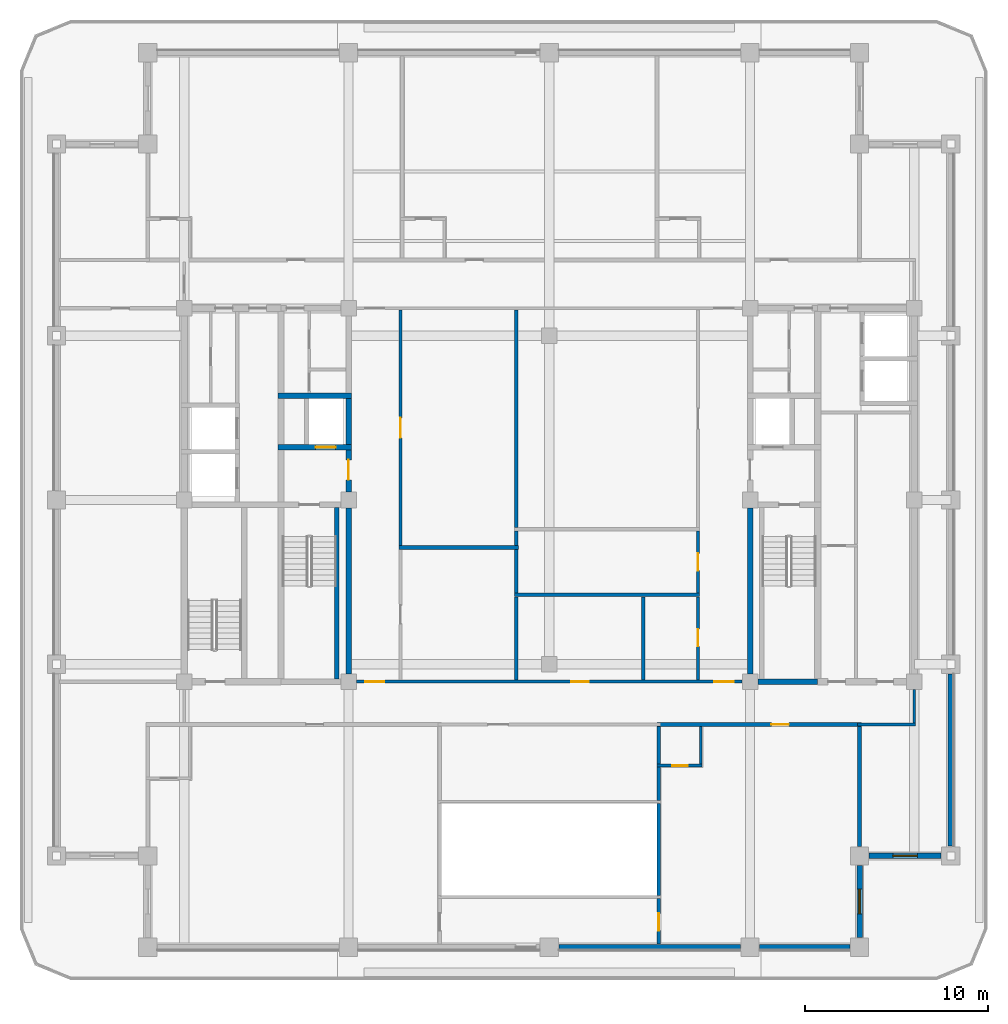
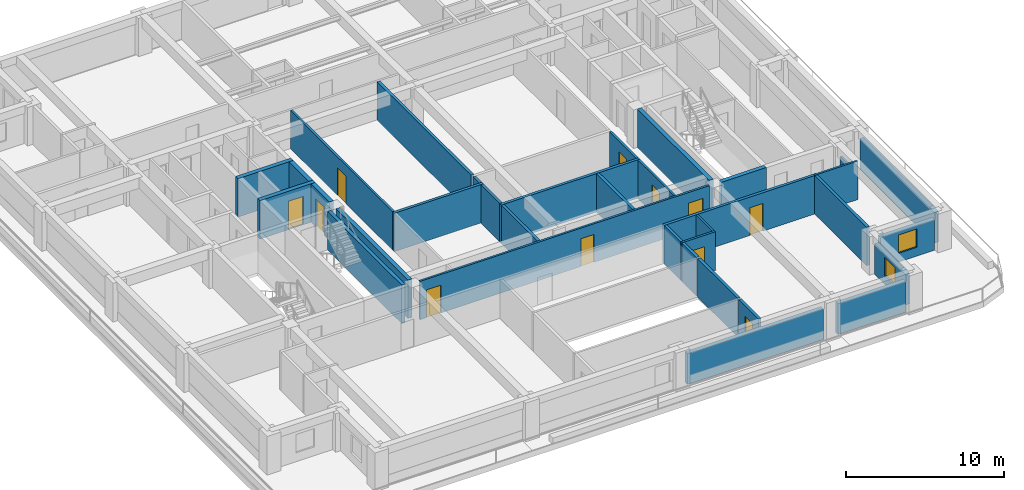
# One storey, part 3 of 13: 34 walls, 11 doors, 2 windows, 13 openings.
"""IFC4 building model written with IfcOpenShell, lengths in metres."""

from ifc_helpers import new_model, si_unit, direction, frame, frame_2d, origin, place, context, subcontext, project, spatial, rectangle, extrude, material, layer, layer_set, type_object, element, fill, save


model = new_model("IFC4")

# Units and contexts
model_context = context("Model", 3, precision=1e-05, world=origin(), true_north=direction((0.0, 1.0)))
body_context = subcontext(model_context, "Body", "Model", "MODEL_VIEW")
ifc_project = project(units=[si_unit("LENGTHUNIT", "METRE"), si_unit("AREAUNIT", "SQUARE_METRE"), si_unit("VOLUMEUNIT", "CUBIC_METRE"), si_unit("PLANEANGLEUNIT", "RADIAN"), si_unit("MASSUNIT", "GRAM", prefix="KILO")], contexts=[model_context])

# Site, building, storey
site_placement = place(None, origin())
site = spatial("IfcSite", under=ifc_project, at=site_placement, CompositionType="ELEMENT")
building_placement = place(site_placement, origin())
building = spatial("IfcBuilding", under=site, at=building_placement, Name="Zulmaris Gate Convention Tower", CompositionType="ELEMENT")
storey_placement = place(building_placement, frame((0.0, 0.0, 218.659912109375)))
storey = spatial("IfcBuildingStorey", under=building, at=storey_placement, Name="L57", CompositionType="ELEMENT", Elevation=218.659912109375)

# Walls
ifc_material_1 = material(Name="Concrete C50/60", Category="concrete")
ifc_layer_1 = layer(ifc_material_1, 0.25, Name="Concrete C50/60")
ifc_layer_set_1 = layer_set([ifc_layer_1], Name="Concrete C50/60")
wall_type_1 = type_object("IfcWallType", Name="CORE-250", PredefinedType="SOLIDWALL", material=ifc_layer_set_1)
wall_1_placement = place(storey_placement, frame((-11.64990234375, -9.798095703125, 0.0), z_axis=(0.0, 0.0, 1.0), x_axis=(0.0, 1.0, 0.0)))
element("IfcWall", 1, at=wall_1_placement, inside=storey, type_object=wall_type_1, Name="WL-L57-056", PredefinedType="SOLIDWALL", context=body_context, shape_type="SweptSolid", body=[
    extrude(rectangle(XDim=9.39599609375, YDim=0.25, at=frame_2d((4.697998046875, 0.0))), origin(), (0.0, 0.0, 1.0), 2.97509765625),
])
ifc_layer_2 = layer(ifc_material_1, 0.300048828125, Name="Concrete C50/60")
ifc_layer_set_2 = layer_set([ifc_layer_2], Name="Concrete C50/60")
wall_type_2 = type_object("IfcWallType", Name="CORE-300", PredefinedType="SHEAR", material=ifc_layer_set_2)
wall_2_placement = place(storey_placement, frame((11.428955078125, -9.949951171875, 0.0), z_axis=(0.0, 0.0, 1.0), x_axis=(1.0, 0.0, 0.0)))
element("IfcWall", 2, at=wall_2_placement, inside=storey, type_object=wall_type_2, Name="WL-L57-003", PredefinedType="SHEAR", context=body_context, shape_type="SweptSolid", body=[
    extrude(rectangle(XDim=3.27099609375, YDim=0.300048828125, at=frame_2d((1.635498046875, 0.0))), origin(), (0.0, 0.0, 1.0), 2.97509765625),
])

# Wall, opening, door
wall_3_placement = place(storey_placement, frame((-14.875, 2.89990234375, 0.0), z_axis=(0.0, 0.0, 1.0), x_axis=(1.0, 0.0, 0.0)))
wall_3 = element("IfcWall", 3, at=wall_3_placement, inside=storey, type_object=wall_type_2, Name="WL-L57-008", PredefinedType="SHEAR", context=body_context, shape_type="SweptSolid", body=[
    extrude(rectangle(XDim=4.02490234375, YDim=0.300048828125, at=frame_2d((2.012451171875, 0.0))), origin(), (0.0, 0.0, 1.0), 2.97509765625),
])
opening_1_placement = place(wall_3_placement, frame((2.074951171875, 0.0, 0.0)))
opening_1 = element("IfcOpeningElement", 4, at=opening_1_placement, cuts=wall_3, Name="Opening D-06", PredefinedType="OPENING", context=body_context, shape_type="SweptSolid", body=[
    extrude(rectangle(XDim=1.10009765625, YDim=2.199951171875, at=frame_2d((0.550048828125, 1.10009765625))), frame((0.0, 0.16015625, 0.0), z_axis=(0.0, -1.0, 0.0), x_axis=(1.0, 0.0, 0.0)), (0.0, 0.0, 1.0), 0.320068359375),
])
ifc_material_2 = material(Name="Brushed Stainless Steel", Category="steel")
door_type_1 = type_object("IfcDoorType", Name="LD-1100", OperationType="NOTDEFINED", PredefinedType="DOOR", material=ifc_material_2)
door_1_placement = place(opening_1_placement, origin())
door_1 = element("IfcDoor", 5, at=door_1_placement, inside=storey, type_object=door_type_1, Name="L57 Lift Landing Door LF-01 03", OperationType="SLIDING_TO_LEFT", OverallHeight=2.199951171875, OverallWidth=1.10009765625, PredefinedType="DOOR", context=body_context, shape_type="SweptSolid", body=[
    extrude(rectangle(XDim=1.10009765625, YDim=2.199951171875, at=frame_2d((0.550048828125, 1.10009765625))), frame((0.0, 0.02490234375, 0.0), z_axis=(0.0, -1.0, 0.0), x_axis=(1.0, 0.0, 0.0)), (0.0, 0.0, 1.0), 0.050048828125),
])
fill(opening_1, door_1)

# Walls
wall_4_placement = place(storey_placement, frame((-14.875, 5.699951171875, 0.0), z_axis=(0.0, 0.0, 1.0), x_axis=(1.0, 0.0, 0.0)))
element("IfcWall", 6, at=wall_4_placement, inside=storey, type_object=wall_type_2, Name="WL-L57-012", PredefinedType="SHEAR", context=body_context, shape_type="SweptSolid", body=[
    extrude(rectangle(XDim=4.02490234375, YDim=0.300048828125, at=frame_2d((2.012451171875, 0.0))), origin(), (0.0, 0.0, 1.0), 2.97509765625),
])
wall_5_placement = place(storey_placement, frame((-11.0, -9.52099609375, 0.0), z_axis=(0.0, 0.0, 1.0), x_axis=(0.0, 1.0, 0.0)))
element("IfcWall", 7, at=wall_5_placement, inside=storey, type_object=wall_type_2, Name="WL-L57-057", PredefinedType="SHEAR", context=body_context, shape_type="SweptSolid", body=[
    extrude(rectangle(XDim=9.092041015625, YDim=0.300048828125, at=frame_2d((4.5458984375, 0.0))), origin(), (0.0, 0.0, 1.0), 2.97509765625),
])

# Wall, opening, door
wall_6_placement = place(storey_placement, frame((-11.0, 0.428955078125, 0.0), z_axis=(0.0, 0.0, 1.0), x_axis=(0.0, 1.0, 0.0)))
wall_6 = element("IfcWall", 8, at=wall_6_placement, inside=storey, type_object=wall_type_2, Name="WL-L57-058", PredefinedType="SHEAR", context=body_context, shape_type="SweptSolid", body=[
    extrude(rectangle(XDim=2.319091796875, YDim=0.300048828125, at=frame_2d((1.15966796875, 0.0))), origin(), (0.0, 0.0, 1.0), 2.97509765625),
])
opening_2_placement = place(wall_6_placement, frame((0.6708984375, 0.0, 0.0)))
opening_2 = element("IfcOpeningElement", 9, at=opening_2_placement, cuts=wall_6, Name="Opening D-08", PredefinedType="OPENING", context=body_context, shape_type="SweptSolid", body=[
    extrude(rectangle(XDim=1.10009765625, YDim=2.14990234375, at=frame_2d((0.550048828125, 1.074951171875))), frame((0.0, 0.16015625, 0.0), z_axis=(0.0, -1.0, 0.0), x_axis=(1.0, 0.0, 0.0)), (0.0, 0.0, 1.0), 0.320068359375),
])
ifc_material_3 = material(Name="Fire-Rated Steel", Category="steel")
door_type_2 = type_object("IfcDoorType", Name="DR-1100-FD", OperationType="NOTDEFINED", PredefinedType="DOOR", material=ifc_material_3)
door_2_placement = place(opening_2_placement, origin())
door_2 = element("IfcDoor", 10, at=door_2_placement, inside=storey, type_object=door_type_2, Name="L57 West Firefighting Lobby Door 02", OperationType="SINGLE_SWING_LEFT", OverallHeight=2.14990234375, OverallWidth=1.10009765625, PredefinedType="DOOR", context=body_context, shape_type="SweptSolid", body=[
    extrude(rectangle(XDim=1.10009765625, YDim=2.14990234375, at=frame_2d((0.550048828125, 1.074951171875))), frame((0.0, 0.02490234375, 0.0), z_axis=(0.0, -1.0, 0.0), x_axis=(1.0, 0.0, 0.0)), (0.0, 0.0, 1.0), 0.050048828125),
])
fill(opening_2, door_2)

# Walls
wall_7_placement = place(storey_placement, frame((-11.0, 3.052001953125, 0.0), z_axis=(0.0, 0.0, 1.0), x_axis=(0.0, 1.0, 0.0)))
element("IfcWall", 11, at=wall_7_placement, inside=storey, type_object=wall_type_2, Name="WL-L57-059", PredefinedType="SHEAR", context=body_context, shape_type="SweptSolid", body=[
    extrude(rectangle(XDim=2.49609375, YDim=0.300048828125, at=frame_2d((1.248046875, 0.0))), origin(), (0.0, 0.0, 1.0), 2.97509765625),
])
wall_8_placement = place(storey_placement, frame((11.0, -9.52099609375, 0.0), z_axis=(0.0, 0.0, 1.0), x_axis=(0.0, 1.0, 0.0)))
element("IfcWall", 12, at=wall_8_placement, inside=storey, type_object=wall_type_2, Name="WL-L57-061", PredefinedType="SHEAR", context=body_context, shape_type="SweptSolid", body=[
    extrude(rectangle(XDim=9.092041015625, YDim=0.300048828125, at=frame_2d((4.5458984375, 0.0))), origin(), (0.0, 0.0, 1.0), 2.97509765625),
])

# Wall, opening, door
ifc_material_4 = material(Name="Gypsum Metal Stud Partition")
ifc_layer_3 = layer(ifc_material_4, 0.14990234375, Name="Gypsum Metal Stud Partition")
ifc_layer_set_3 = layer_set([ifc_layer_3], Name="Gypsum Metal Stud Partition")
wall_type_3 = type_object("IfcWallType", Name="PART-150", PredefinedType="PARTITIONING", material=ifc_layer_set_3)
wall_9_placement = place(storey_placement, frame((5.89990234375, -14.550048828125, 0.0), z_axis=(0.0, 0.0, 1.0), x_axis=(1.0, 0.0, 0.0)))
wall_9 = element("IfcWall", 13, at=wall_9_placement, inside=storey, type_object=wall_type_3, Name="WL-L57-022", PredefinedType="PARTITIONING", context=body_context, shape_type="SweptSolid", body=[
    extrude(rectangle(XDim=2.47509765625, YDim=0.14990234375, at=frame_2d((1.237548828125, 0.0))), origin(), (0.0, 0.0, 1.0), 2.97509765625),
])
opening_3_placement = place(wall_9_placement, frame((0.824951171875, 0.0, 0.0)))
opening_3 = element("IfcOpeningElement", 14, at=opening_3_placement, cuts=wall_9, Name="Opening D-17", PredefinedType="OPENING", context=body_context, shape_type="SweptSolid", body=[
    extrude(rectangle(XDim=0.85009765625, YDim=2.10009765625, at=frame_2d((0.425048828125, 1.050048828125))), frame((0.0, 0.0849609375, 0.0), z_axis=(0.0, -1.0, 0.0), x_axis=(1.0, 0.0, 0.0)), (0.0, 0.0, 1.0), 0.169921875),
])
ifc_material_5 = material(Name="Moisture-Resistant Hardwood Timber", Category="wood")
door_type_3 = type_object("IfcDoorType", Name="DR-850", OperationType="NOTDEFINED", PredefinedType="DOOR", material=ifc_material_5)
door_3_placement = place(opening_3_placement, origin())
door_3 = element("IfcDoor", 15, at=door_3_placement, inside=storey, type_object=door_type_3, Name="L57 En-Suite Door 41", OperationType="SINGLE_SWING_RIGHT", OverallHeight=2.10009765625, OverallWidth=0.85009765625, PredefinedType="DOOR", context=body_context, shape_type="SweptSolid", body=[
    extrude(rectangle(XDim=0.85009765625, YDim=2.10009765625, at=frame_2d((0.425048828125, 1.050048828125))), frame((0.0, 0.02490234375, 0.0), z_axis=(0.0, -1.0, 0.0), x_axis=(1.0, 0.0, 0.0)), (0.0, 0.0, 1.0), 0.050048828125),
])
fill(opening_3, door_3)

# Wall
wall_10_placement = place(storey_placement, frame((16.89990234375, -12.300048828125, 0.0), z_axis=(0.0, 0.0, 1.0), x_axis=(1.0, 0.0, 0.0)))
element("IfcWall", 16, at=wall_10_placement, inside=storey, type_object=wall_type_3, Name="WL-L57-026", PredefinedType="PARTITIONING", context=body_context, shape_type="SweptSolid", body=[
    extrude(rectangle(XDim=3.175048828125, YDim=0.14990234375, at=frame_2d((1.58740234375, 0.0))), origin(), (0.0, 0.0, 1.0), 2.97509765625),
])

# Wall, openings, doors
wall_11_placement = place(storey_placement, frame((-10.569091796875, -9.949951171875, 0.0), z_axis=(0.0, 0.0, 1.0), x_axis=(1.0, 0.0, 0.0)))
wall_11 = element("IfcWall", 17, at=wall_11_placement, inside=storey, type_object=wall_type_3, Name="WL-L57-028", PredefinedType="PARTITIONING", context=body_context, shape_type="SweptSolid", body=[
    extrude(rectangle(XDim=21.13818359375, YDim=0.14990234375, at=frame_2d((10.569091796875, 0.0))), origin(), (0.0, 0.0, 1.0), 2.97509765625),
])
opening_4_placement = place(wall_11_placement, frame((0.47412109375, 0.0, 0.0)))
opening_4 = element("IfcOpeningElement", 18, at=opening_4_placement, cuts=wall_11, Name="Opening D-09", PredefinedType="OPENING", context=body_context, shape_type="SweptSolid", body=[
    extrude(rectangle(XDim=1.050048828125, YDim=2.14990234375, at=frame_2d((0.52490234375, 1.074951171875))), frame((0.0, 0.0849609375, 0.0), z_axis=(0.0, -1.0, 0.0), x_axis=(1.0, 0.0, 0.0)), (0.0, 0.0, 1.0), 0.169921875),
])
opening_5_placement = place(wall_11_placement, frame((19.614013671875, 0.0, 0.0)))
opening_5 = element("IfcOpeningElement", 19, at=opening_5_placement, cuts=wall_11, Name="Opening D-09", PredefinedType="OPENING", context=body_context, shape_type="SweptSolid", body=[
    extrude(rectangle(XDim=1.050048828125, YDim=2.14990234375, at=frame_2d((0.52490234375, 1.074951171875))), frame((0.0, 0.0849609375, 0.0), z_axis=(0.0, -1.0, 0.0), x_axis=(1.0, 0.0, 0.0)), (0.0, 0.0, 1.0), 0.169921875),
])
opening_6_placement = place(wall_11_placement, frame((11.77392578125, 0.0, 0.0)))
opening_6 = element("IfcOpeningElement", 20, at=opening_6_placement, cuts=wall_11, Name="Opening D-11", PredefinedType="OPENING", context=body_context, shape_type="SweptSolid", body=[
    extrude(rectangle(XDim=0.949951171875, YDim=2.14990234375, at=frame_2d((0.47509765625, 1.074951171875))), frame((0.0, 0.0849609375, 0.0), z_axis=(0.0, -1.0, 0.0), x_axis=(1.0, 0.0, 0.0)), (0.0, 0.0, 1.0), 0.169921875),
])
door_type_4 = type_object("IfcDoorType", Name="DR-1050-FD", OperationType="NOTDEFINED", PredefinedType="DOOR", material=ifc_material_3)
door_4_placement = place(opening_4_placement, origin())
door_4 = element("IfcDoor", 21, at=door_4_placement, inside=storey, type_object=door_type_4, Name="L57 SW Hotel Loop Door 26", OperationType="SINGLE_SWING_LEFT", OverallHeight=2.14990234375, OverallWidth=1.050048828125, PredefinedType="DOOR", context=body_context, shape_type="SweptSolid", body=[
    extrude(rectangle(XDim=1.050048828125, YDim=2.14990234375, at=frame_2d((0.52490234375, 1.074951171875))), frame((0.0, 0.02490234375, 0.0), z_axis=(0.0, -1.0, 0.0), x_axis=(1.0, 0.0, 0.0)), (0.0, 0.0, 1.0), 0.050048828125),
])
fill(opening_4, door_4)
door_5_placement = place(opening_5_placement, origin())
door_5 = element("IfcDoor", 22, at=door_5_placement, inside=storey, type_object=door_type_4, Name="L57 SE Hotel Loop Door 28", OperationType="SINGLE_SWING_LEFT", OverallHeight=2.14990234375, OverallWidth=1.050048828125, PredefinedType="DOOR", context=body_context, shape_type="SweptSolid", body=[
    extrude(rectangle(XDim=1.050048828125, YDim=2.14990234375, at=frame_2d((0.52490234375, 1.074951171875))), frame((0.0, 0.02490234375, 0.0), z_axis=(0.0, -1.0, 0.0), x_axis=(1.0, 0.0, 0.0)), (0.0, 0.0, 1.0), 0.050048828125),
])
fill(opening_5, door_5)
ifc_material_6 = material(Name="Fire-Rated Timber", Category="wood")
door_type_5 = type_object("IfcDoorType", Name="DR-950-FD", OperationType="NOTDEFINED", PredefinedType="DOOR", material=ifc_material_6)
door_6_placement = place(opening_6_placement, origin())
door_6 = element("IfcDoor", 23, at=door_6_placement, inside=storey, type_object=door_type_5, Name="L57 Staging Store Door 47", OperationType="SINGLE_SWING_RIGHT", OverallHeight=2.14990234375, OverallWidth=0.949951171875, PredefinedType="DOOR", context=body_context, shape_type="SweptSolid", body=[
    extrude(rectangle(XDim=0.949951171875, YDim=2.14990234375, at=frame_2d((0.47509765625, 1.074951171875))), frame((0.0, 0.02490234375, 0.0), z_axis=(0.0, -1.0, 0.0), x_axis=(1.0, 0.0, 0.0)), (0.0, 0.0, 1.0), 0.050048828125),
])
fill(opening_6, door_6)

# Wall, opening, door
wall_12_placement = place(storey_placement, frame((-8.14990234375, -2.4970703125, 0.0), z_axis=(0.0, 0.0, 1.0), x_axis=(0.0, 1.0, 0.0)))
wall_12 = element("IfcWall", 24, at=wall_12_placement, inside=storey, type_object=wall_type_3, Name="WL-L57-089", PredefinedType="PARTITIONING", context=body_context, shape_type="SweptSolid", body=[
    extrude(rectangle(XDim=12.919189453125, YDim=0.14990234375, at=frame_2d((6.45947265625, 0.0))), origin(), (0.0, 0.0, 1.0), 2.97509765625),
])
opening_7_placement = place(wall_12_placement, frame((5.89697265625, 0.0, 0.0)))
opening_7 = element("IfcOpeningElement", 25, at=opening_7_placement, cuts=wall_12, Name="Opening D-08", PredefinedType="OPENING", context=body_context, shape_type="SweptSolid", body=[
    extrude(rectangle(XDim=1.10009765625, YDim=2.14990234375, at=frame_2d((0.550048828125, 1.074951171875))), frame((0.0, 0.0849609375, 0.0), z_axis=(0.0, -1.0, 0.0), x_axis=(1.0, 0.0, 0.0)), (0.0, 0.0, 1.0), 0.169921875),
])
door_7_placement = place(opening_7_placement, origin())
door_7 = element("IfcDoor", 26, at=door_7_placement, inside=storey, type_object=door_type_2, Name="L57 Club Lounge Door 42", OperationType="SINGLE_SWING_LEFT", OverallHeight=2.14990234375, OverallWidth=1.10009765625, PredefinedType="DOOR", context=body_context, shape_type="SweptSolid", body=[
    extrude(rectangle(XDim=1.10009765625, YDim=2.14990234375, at=frame_2d((0.550048828125, 1.074951171875))), frame((0.0, 0.02490234375, 0.0), z_axis=(0.0, -1.0, 0.0), x_axis=(1.0, 0.0, 0.0)), (0.0, 0.0, 1.0), 0.050048828125),
])
fill(opening_7, door_7)

wall_13_placement = place(storey_placement, frame((8.14990234375, -9.8720703125, 0.0), z_axis=(0.0, 0.0, 1.0), x_axis=(0.0, 1.0, 0.0)))
wall_13 = element("IfcWall", 27, at=wall_13_placement, inside=storey, type_object=wall_type_3, Name="WL-L57-107", PredefinedType="PARTITIONING", context=body_context, shape_type="SweptSolid", body=[
    extrude(rectangle(XDim=4.569091796875, YDim=0.14990234375, at=frame_2d((2.28466796875, 0.0))), origin(), (0.0, 0.0, 1.0), 2.97509765625),
])
opening_8_placement = place(wall_13_placement, frame((1.846923828125, 0.0, 0.0)))
opening_8 = element("IfcOpeningElement", 28, at=opening_8_placement, cuts=wall_13, Name="Opening D-11", PredefinedType="OPENING", context=body_context, shape_type="SweptSolid", body=[
    extrude(rectangle(XDim=0.949951171875, YDim=2.14990234375, at=frame_2d((0.47509765625, 1.074951171875))), frame((0.0, 0.0849609375, 0.0), z_axis=(0.0, -1.0, 0.0), x_axis=(1.0, 0.0, 0.0)), (0.0, 0.0, 1.0), 0.169921875),
])
door_8_placement = place(opening_8_placement, origin())
door_8 = element("IfcDoor", 29, at=door_8_placement, inside=storey, type_object=door_type_5, Name="L57 Accessible WC Door 46", OperationType="SINGLE_SWING_LEFT", OverallHeight=2.14990234375, OverallWidth=0.949951171875, PredefinedType="DOOR", context=body_context, shape_type="SweptSolid", body=[
    extrude(rectangle(XDim=0.949951171875, YDim=2.14990234375, at=frame_2d((0.47509765625, 1.074951171875))), frame((0.0, 0.02490234375, 0.0), z_axis=(0.0, -1.0, 0.0), x_axis=(1.0, 0.0, 0.0)), (0.0, 0.0, 1.0), 0.050048828125),
])
fill(opening_8, door_8)

wall_14_placement = place(storey_placement, frame((8.14990234375, -5.096923828125, 0.0), z_axis=(0.0, 0.0, 1.0), x_axis=(0.0, 1.0, 0.0)))
wall_14 = element("IfcWall", 30, at=wall_14_placement, inside=storey, type_object=wall_type_3, Name="WL-L57-108", PredefinedType="PARTITIONING", context=body_context, shape_type="SweptSolid", body=[
    extrude(rectangle(XDim=3.39404296875, YDim=0.14990234375, at=frame_2d((1.697021484375, 0.0))), origin(), (0.0, 0.0, 1.0), 2.97509765625),
])
opening_9_placement = place(wall_14_placement, frame((1.221923828125, 0.0, 0.0)))
opening_9 = element("IfcOpeningElement", 31, at=opening_9_placement, cuts=wall_14, Name="Opening D-11", PredefinedType="OPENING", context=body_context, shape_type="SweptSolid", body=[
    extrude(rectangle(XDim=0.949951171875, YDim=2.14990234375, at=frame_2d((0.47509765625, 1.074951171875))), frame((0.0, 0.0849609375, 0.0), z_axis=(0.0, -1.0, 0.0), x_axis=(1.0, 0.0, 0.0)), (0.0, 0.0, 1.0), 0.169921875),
])
door_9_placement = place(opening_9_placement, origin())
door_9 = element("IfcDoor", 32, at=door_9_placement, inside=storey, type_object=door_type_5, Name="L57 Public WC Door 45", OperationType="SINGLE_SWING_RIGHT", OverallHeight=2.14990234375, OverallWidth=0.949951171875, PredefinedType="DOOR", context=body_context, shape_type="SweptSolid", body=[
    extrude(rectangle(XDim=0.949951171875, YDim=2.14990234375, at=frame_2d((0.47509765625, 1.074951171875))), frame((0.0, 0.02490234375, 0.0), z_axis=(0.0, -1.0, 0.0), x_axis=(1.0, 0.0, 0.0)), (0.0, 0.0, 1.0), 0.050048828125),
])
fill(opening_9, door_9)

# Walls
wall_15_placement = place(storey_placement, frame((8.300048828125, -14.471923828125, 0.0), z_axis=(0.0, 0.0, 1.0), x_axis=(0.0, 1.0, 0.0)))
element("IfcWall", 33, at=wall_15_placement, inside=storey, type_object=wall_type_3, Name="WL-L57-111", PredefinedType="PARTITIONING", context=body_context, shape_type="SweptSolid", body=[
    extrude(rectangle(XDim=2.06884765625, YDim=0.14990234375, at=frame_2d((1.034423828125, 0.0))), origin(), (0.0, 0.0, 1.0), 2.97509765625),
])
wall_16_placement = place(storey_placement, frame((20.0, -12.221923828125, 0.0), z_axis=(0.0, 0.0, 1.0), x_axis=(0.0, 1.0, 0.0)))
element("IfcWall", 34, at=wall_16_placement, inside=storey, type_object=wall_type_3, Name="WL-L57-118", PredefinedType="PARTITIONING", context=body_context, shape_type="SweptSolid", body=[
    extrude(rectangle(XDim=1.8408203125, YDim=0.14990234375, at=frame_2d((0.92041015625, 0.0))), origin(), (0.0, 0.0, 1.0), 2.167236328125),
])

# Wall, opening, door
ifc_material_7 = material(Name="Autoclaved Aerated Concrete Block and Plasterboard", Category="concrete")
ifc_layer_4 = layer(ifc_material_7, 0.199951171875, Name="Autoclaved Aerated Concrete Block and Plasterboard")
ifc_layer_set_4 = layer_set([ifc_layer_4], Name="Autoclaved Aerated Concrete Block and Plasterboard")
wall_type_4 = type_object("IfcWallType", Name="PART-200", PredefinedType="PARTITIONING", material=ifc_layer_set_4)
wall_17_placement = place(storey_placement, frame((5.89990234375, -12.300048828125, 0.0), z_axis=(0.0, 0.0, 1.0), x_axis=(1.0, 0.0, 0.0)))
wall_17 = element("IfcWall", 35, at=wall_17_placement, inside=storey, type_object=wall_type_4, Name="WL-L57-025", PredefinedType="PARTITIONING", context=body_context, shape_type="SweptSolid", body=[
    extrude(rectangle(XDim=11.2001953125, YDim=0.199951171875, at=frame_2d((5.60009765625, 0.0))), origin(), (0.0, 0.0, 1.0), 2.97509765625),
])
opening_10_placement = place(wall_17_placement, frame((6.27490234375, 0.0, 0.0)))
opening_10 = element("IfcOpeningElement", 36, at=opening_10_placement, cuts=wall_17, Name="Opening D-11", PredefinedType="OPENING", context=body_context, shape_type="SweptSolid", body=[
    extrude(rectangle(XDim=0.949951171875, YDim=2.14990234375, at=frame_2d((0.47509765625, 1.074951171875))), frame((0.0, 0.10986328125, 0.0), z_axis=(0.0, -1.0, 0.0), x_axis=(1.0, 0.0, 0.0)), (0.0, 0.0, 1.0), 0.219970703125),
])
door_10_placement = place(opening_10_placement, origin())
door_10 = element("IfcDoor", 37, at=door_10_placement, inside=storey, type_object=door_type_5, Name="L57 Hotel Executive Suite Door 40", OperationType="SINGLE_SWING_LEFT", OverallHeight=2.14990234375, OverallWidth=0.949951171875, PredefinedType="DOOR", context=body_context, shape_type="SweptSolid", body=[
    extrude(rectangle(XDim=0.949951171875, YDim=2.14990234375, at=frame_2d((0.47509765625, 1.074951171875))), frame((0.0, 0.02490234375, 0.0), z_axis=(0.0, -1.0, 0.0), x_axis=(1.0, 0.0, 0.0)), (0.0, 0.0, 1.0), 0.050048828125),
])
fill(opening_10, door_10)

# Walls
wall_18_placement = place(storey_placement, frame((-1.89990234375, -5.199951171875, 0.0), z_axis=(0.0, 0.0, 1.0), x_axis=(1.0, 0.0, 0.0)))
element("IfcWall", 38, at=wall_18_placement, inside=storey, type_object=wall_type_4, Name="WL-L57-029", PredefinedType="PARTITIONING", context=body_context, shape_type="SweptSolid", body=[
    extrude(rectangle(XDim=10.125, YDim=0.199951171875, at=frame_2d((5.0625, 0.0))), origin(), (0.0, 0.0, 1.0), 2.97509765625),
])
wall_19_placement = place(storey_placement, frame((-8.22509765625, -2.60009765625, 0.0), z_axis=(0.0, 0.0, 1.0), x_axis=(1.0, 0.0, 0.0)))
element("IfcWall", 39, at=wall_19_placement, inside=storey, type_object=wall_type_4, Name="WL-L57-030", PredefinedType="PARTITIONING", context=body_context, shape_type="SweptSolid", body=[
    extrude(rectangle(XDim=6.525146484375, YDim=0.199951171875, at=frame_2d((3.2626953125, 0.0))), origin(), (0.0, 0.0, 1.0), 2.97509765625),
])
wall_20_placement = place(storey_placement, frame((-1.800048828125, -9.8720703125, 0.0), z_axis=(0.0, 0.0, 1.0), x_axis=(0.0, 1.0, 0.0)))
element("IfcWall", 40, at=wall_20_placement, inside=storey, type_object=wall_type_4, Name="WL-L57-096", PredefinedType="PARTITIONING", context=body_context, shape_type="SweptSolid", body=[
    extrude(rectangle(XDim=4.569091796875, YDim=0.199951171875, at=frame_2d((2.28466796875, 0.0))), origin(), (0.0, 0.0, 1.0), 2.97509765625),
])
wall_21_placement = place(storey_placement, frame((-1.800048828125, -5.096923828125, 0.0), z_axis=(0.0, 0.0, 1.0), x_axis=(0.0, 1.0, 0.0)))
element("IfcWall", 41, at=wall_21_placement, inside=storey, type_object=wall_type_4, Name="WL-L57-097", PredefinedType="PARTITIONING", context=body_context, shape_type="SweptSolid", body=[
    extrude(rectangle(XDim=2.39404296875, YDim=0.199951171875, at=frame_2d((1.197021484375, 0.0))), origin(), (0.0, 0.0, 1.0), 2.97509765625),
])
wall_22_placement = place(storey_placement, frame((-1.800048828125, -2.4970703125, 0.0), z_axis=(0.0, 0.0, 1.0), x_axis=(0.0, 1.0, 0.0)))
element("IfcWall", 42, at=wall_22_placement, inside=storey, type_object=wall_type_4, Name="WL-L57-098", PredefinedType="PARTITIONING", context=body_context, shape_type="SweptSolid", body=[
    extrude(rectangle(XDim=0.794189453125, YDim=0.199951171875, at=frame_2d((0.39697265625, 0.0))), origin(), (0.0, 0.0, 1.0), 2.97509765625),
])
wall_23_placement = place(storey_placement, frame((-1.800048828125, -1.4970703125, 0.0), z_axis=(0.0, 0.0, 1.0), x_axis=(0.0, 1.0, 0.0)))
element("IfcWall", 43, at=wall_23_placement, inside=storey, type_object=wall_type_4, Name="WL-L57-099", PredefinedType="PARTITIONING", context=body_context, shape_type="SweptSolid", body=[
    extrude(rectangle(XDim=11.919189453125, YDim=0.199951171875, at=frame_2d((5.95947265625, 0.0))), origin(), (0.0, 0.0, 1.0), 2.97509765625),
])
wall_24_placement = place(storey_placement, frame((5.14990234375, -9.8720703125, 0.0), z_axis=(0.0, 0.0, 1.0), x_axis=(0.0, 1.0, 0.0)))
element("IfcWall", 44, at=wall_24_placement, inside=storey, type_object=wall_type_4, Name="WL-L57-100", PredefinedType="PARTITIONING", context=body_context, shape_type="SweptSolid", body=[
    extrude(rectangle(XDim=4.569091796875, YDim=0.199951171875, at=frame_2d((2.28466796875, 0.0))), origin(), (0.0, 0.0, 1.0), 2.97509765625),
])

# Wall, opening, door
wall_25_placement = place(storey_placement, frame((6.0, -24.3349609375, 0.0), z_axis=(0.0, 0.0, 1.0), x_axis=(0.0, 1.0, 0.0)))
wall_25 = element("IfcWall", 45, at=wall_25_placement, inside=storey, type_object=wall_type_4, Name="WL-L57-103", PredefinedType="PARTITIONING", context=body_context, shape_type="SweptSolid", body=[
    extrude(rectangle(XDim=2.507080078125, YDim=0.199951171875, at=frame_2d((1.25341796875, 0.0))), origin(), (0.0, 0.0, 1.0), 2.97509765625),
])
opening_11_placement = place(wall_25_placement, frame((0.739990234375, 0.0, 0.0)))
opening_11 = element("IfcOpeningElement", 46, at=opening_11_placement, cuts=wall_25, Name="Opening D-11", PredefinedType="OPENING", context=body_context, shape_type="SweptSolid", body=[
    extrude(rectangle(XDim=0.949951171875, YDim=2.14990234375, at=frame_2d((0.47509765625, 1.074951171875))), frame((0.0, 0.10986328125, 0.0), z_axis=(0.0, -1.0, 0.0), x_axis=(1.0, 0.0, 0.0)), (0.0, 0.0, 1.0), 0.219970703125),
])
door_11_placement = place(opening_11_placement, origin())
door_11 = element("IfcDoor", 47, at=door_11_placement, inside=storey, type_object=door_type_5, Name="L57 Terrace Loggia East Door 36", OperationType="SINGLE_SWING_LEFT", OverallHeight=2.14990234375, OverallWidth=0.949951171875, PredefinedType="DOOR", context=body_context, shape_type="SweptSolid", body=[
    extrude(rectangle(XDim=0.949951171875, YDim=2.14990234375, at=frame_2d((0.47509765625, 1.074951171875))), frame((0.0, 0.02490234375, 0.0), z_axis=(0.0, -1.0, 0.0), x_axis=(1.0, 0.0, 0.0)), (0.0, 0.0, 1.0), 0.050048828125),
])
fill(opening_11, door_11)

# Walls
wall_26_placement = place(storey_placement, frame((6.0, -21.672119140625, 0.0), z_axis=(0.0, 0.0, 1.0), x_axis=(0.0, 1.0, 0.0)))
element("IfcWall", 48, at=wall_26_placement, inside=storey, type_object=wall_type_4, Name="WL-L57-104", PredefinedType="PARTITIONING", context=body_context, shape_type="SweptSolid", body=[
    extrude(rectangle(XDim=5.044189453125, YDim=0.199951171875, at=frame_2d((2.52197265625, 0.0))), origin(), (0.0, 0.0, 1.0), 2.97509765625),
])
wall_27_placement = place(storey_placement, frame((6.0, -16.471923828125, 0.0), z_axis=(0.0, 0.0, 1.0), x_axis=(0.0, 1.0, 0.0)))
element("IfcWall", 49, at=wall_27_placement, inside=storey, type_object=wall_type_4, Name="WL-L57-105", PredefinedType="PARTITIONING", context=body_context, shape_type="SweptSolid", body=[
    extrude(rectangle(XDim=1.843994140625, YDim=0.199951171875, at=frame_2d((0.921875, 0.0))), origin(), (0.0, 0.0, 1.0), 2.97509765625),
])
wall_28_placement = place(storey_placement, frame((6.0, -14.471923828125, 0.0), z_axis=(0.0, 0.0, 1.0), x_axis=(0.0, 1.0, 0.0)))
element("IfcWall", 50, at=wall_28_placement, inside=storey, type_object=wall_type_4, Name="WL-L57-106", PredefinedType="PARTITIONING", context=body_context, shape_type="SweptSolid", body=[
    extrude(rectangle(XDim=2.06884765625, YDim=0.199951171875, at=frame_2d((1.034423828125, 0.0))), origin(), (0.0, 0.0, 1.0), 2.97509765625),
])
wall_29_placement = place(storey_placement, frame((17.0, -18.993896484375, 0.0), z_axis=(0.0, 0.0, 1.0), x_axis=(0.0, 1.0, 0.0)))
element("IfcWall", 51, at=wall_29_placement, inside=storey, type_object=wall_type_4, Name="WL-L57-116", PredefinedType="PARTITIONING", context=body_context, shape_type="SweptSolid", body=[
    extrude(rectangle(XDim=6.5908203125, YDim=0.199951171875, at=frame_2d((3.29541015625, 0.0))), origin(), (0.0, 0.0, 1.0), 2.97509765625),
])

# Wall, opening, window
ifc_material_8 = material(Name="Precast concrete C40/50", Category="concrete")
ifc_layer_5 = layer(ifc_material_8, 0.300048828125, Name="Precast concrete C40/50")
ifc_layer_set_5 = layer_set([ifc_layer_5], Name="Precast concrete C40/50")
wall_type_5 = type_object("IfcWallType", Name="PRECAST-PIER-300", PredefinedType="STANDARD", material=ifc_layer_set_5)
wall_30_placement = place(storey_placement, frame((17.0, -23.969970703125, 0.0), z_axis=(0.0, 0.0, 1.0), x_axis=(0.0, 1.0, 0.0)))
wall_30 = element("IfcWall", 52, at=wall_30_placement, inside=storey, type_object=wall_type_5, Name="EW-L57-NOTCH-SE1_0", PredefinedType="STANDARD", context=body_context, shape_type="SweptSolid", body=[
    extrude(rectangle(XDim=3.93994140625, YDim=0.300048828125, at=frame_2d((1.969970703125, 0.0))), origin(), (0.0, 0.0, 1.0), 2.3671875),
])
opening_12_placement = place(wall_30_placement, frame((1.294921875, 0.0, 0.679931640625)))
opening_12 = element("IfcOpeningElement", 53, at=opening_12_placement, cuts=wall_30, Name="Opening W-10", PredefinedType="OPENING", context=body_context, shape_type="SweptSolid", body=[
    extrude(rectangle(XDim=1.35009765625, YDim=1.419921875, at=frame_2d((0.675048828125, 0.7099609375))), frame((0.0, 0.16015625, 0.0), z_axis=(0.0, -1.0, 0.0), x_axis=(1.0, 0.0, 0.0)), (0.0, 0.0, 1.0), 0.320068359375),
])
ifc_material_9 = material(Name="Low-E Laminated Double Glazing in Aluminium Frame", Category="aluminium")
window_type = type_object("IfcWindowType", Name="WIN-1350x2000", PartitioningType="SINGLE_PANEL", PredefinedType="WINDOW", material=ifc_material_9)
window_1_placement = place(opening_12_placement, origin())
window_1 = element("IfcWindow", 54, at=window_1_placement, inside=storey, type_object=window_type, Name="WN-EW-L57-NOTCH-SE1_0", OverallHeight=1.419921875, OverallWidth=1.35009765625, PartitioningType="SINGLE_PANEL", PredefinedType="WINDOW", context=body_context, shape_type="SweptSolid", body=[
    extrude(rectangle(XDim=1.35009765625, YDim=1.419921875, at=frame_2d((0.675048828125, 0.7099609375))), frame((0.0, 0.030029296875, 0.0), z_axis=(0.0, -1.0, 0.0), x_axis=(1.0, 0.0, 0.0)), (0.0, 0.0, 1.0), 0.06005859375),
])
fill(opening_12, window_1)

wall_31_placement = place(storey_placement, frame((17.530029296875, -19.5, 0.0), z_axis=(0.0, 0.0, 1.0), x_axis=(1.0, 0.0, 0.0)))
wall_31 = element("IfcWall", 55, at=wall_31_placement, inside=storey, type_object=wall_type_5, Name="EW-L57-NOTCH-SE2_0", PredefinedType="STANDARD", context=body_context, shape_type="SweptSolid", body=[
    extrude(rectangle(XDim=3.93994140625, YDim=0.300048828125, at=frame_2d((1.969970703125, 0.0))), origin(), (0.0, 0.0, 1.0), 2.3671875),
])
opening_13_placement = place(wall_31_placement, frame((1.294921875, 0.0, 0.679931640625)))
opening_13 = element("IfcOpeningElement", 56, at=opening_13_placement, cuts=wall_31, Name="Opening W-10", PredefinedType="OPENING", context=body_context, shape_type="SweptSolid", body=[
    extrude(rectangle(XDim=1.35009765625, YDim=1.419921875, at=frame_2d((0.675048828125, 0.7099609375))), frame((0.0, 0.16015625, 0.0), z_axis=(0.0, -1.0, 0.0), x_axis=(1.0, 0.0, 0.0)), (0.0, 0.0, 1.0), 0.320068359375),
])
window_2_placement = place(opening_13_placement, origin())
window_2 = element("IfcWindow", 57, at=window_2_placement, inside=storey, type_object=window_type, Name="WN-EW-L57-NOTCH-SE2_0", OverallHeight=1.419921875, OverallWidth=1.35009765625, PartitioningType="SINGLE_PANEL", PredefinedType="WINDOW", context=body_context, shape_type="SweptSolid", body=[
    extrude(rectangle(XDim=1.35009765625, YDim=1.419921875, at=frame_2d((0.675048828125, 0.7099609375))), frame((0.0, 0.030029296875, 0.0), z_axis=(0.0, -1.0, 0.0), x_axis=(1.0, 0.0, 0.0)), (0.0, 0.0, 1.0), 0.06005859375),
])
fill(opening_13, window_2)

# Walls
wall_32_placement = place(storey_placement, frame((0.530029296875, -24.5, 0.0), z_axis=(0.0, 0.0, 1.0), x_axis=(1.0, 0.0, 0.0)))
element("IfcWall", 58, at=wall_32_placement, inside=storey, type_object=wall_type_5, Name="EW-L57-S-2_0", PredefinedType="STANDARD", context=body_context, shape_type="SweptSolid", body=[
    extrude(rectangle(XDim=9.93994140625, YDim=0.300048828125, at=frame_2d((4.969970703125, 0.0))), origin(), (0.0, 0.0, 1.0), 2.3671875),
])
wall_33_placement = place(storey_placement, frame((11.530029296875, -24.5, 0.0), z_axis=(0.0, 0.0, 1.0), x_axis=(1.0, 0.0, 0.0)))
element("IfcWall", 59, at=wall_33_placement, inside=storey, type_object=wall_type_5, Name="EW-L57-S-3_0", PredefinedType="STANDARD", context=body_context, shape_type="SweptSolid", body=[
    extrude(rectangle(XDim=4.93994140625, YDim=0.300048828125, at=frame_2d((2.469970703125, 0.0))), origin(), (0.0, 0.0, 1.0), 2.3671875),
])
wall_34_placement = place(storey_placement, frame((22.0, -18.969970703125, 0.0), z_axis=(0.0, 0.0, 1.0), x_axis=(0.0, 1.0, 0.0)))
element("IfcWall", 60, at=wall_34_placement, inside=storey, type_object=wall_type_5, Name="EW-L57-E-0_0", PredefinedType="STANDARD", context=body_context, shape_type="SweptSolid", body=[
    extrude(rectangle(XDim=9.43994140625, YDim=0.300048828125, at=frame_2d((4.719970703125, 0.0))), origin(), (0.0, 0.0, 1.0), 2.3671875),
])

save(model, "model.ifc")
